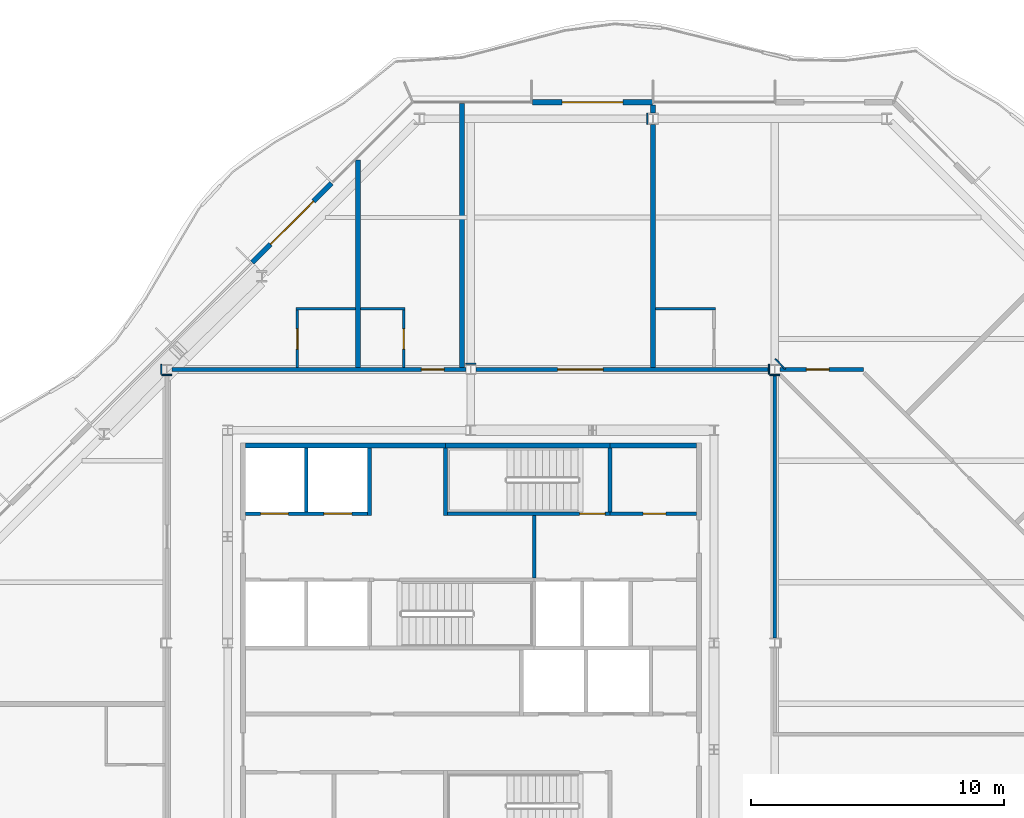
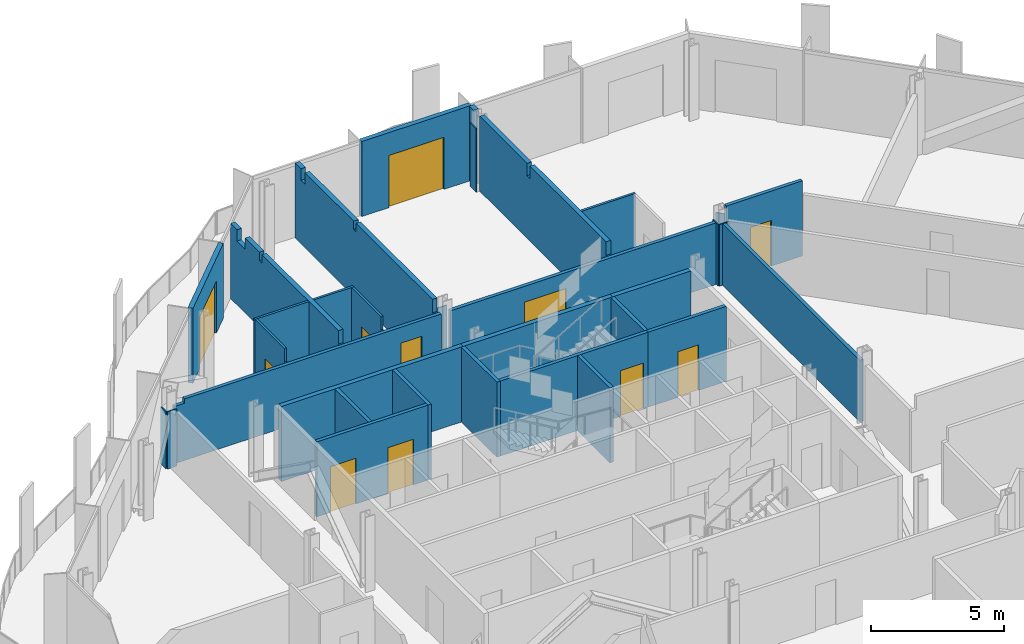
# One storey, part 11 of 17: 33 walls, 11 doors, 11 openings.
"""IFC4 building model written with IfcOpenShell, lengths in metres."""

from ifc_helpers import new_model, si_unit, direction, frame, frame_2d, origin, place, context, subcontext, project, spatial, polyline, rectangle, outline, extrude, material, layer, layer_set, type_object, element, fill, save


model = new_model("IFC4")

# Units and contexts
model_context = context("Model", 3, precision=1e-05, world=origin(), true_north=direction((0.0, 1.0)))
body_context = subcontext(model_context, "Body", "Model", "MODEL_VIEW")
ifc_project = project(units=[si_unit("LENGTHUNIT", "METRE"), si_unit("AREAUNIT", "SQUARE_METRE"), si_unit("VOLUMEUNIT", "CUBIC_METRE"), si_unit("PLANEANGLEUNIT", "RADIAN"), si_unit("MASSUNIT", "GRAM", prefix="KILO")], contexts=[model_context])

# Site, building, storey
site_placement = place(None, origin())
site = spatial("IfcSite", under=ifc_project, at=site_placement, CompositionType="ELEMENT")
building_placement = place(site_placement, origin())
building = spatial("IfcBuilding", under=site, at=building_placement, Name="Cairn Pilgrim Tower", CompositionType="ELEMENT")
storey_placement = place(building_placement, frame((0.0, 0.0, 232.199951171875)))
storey = spatial("IfcBuildingStorey", under=building, at=storey_placement, Name="L59", CompositionType="ELEMENT", Elevation=232.199951171875)

# Wall, opening, door
ifc_material_1 = material(Name="Bronze anodised aluminium insulated sandwich panel with mineral wool fill", Category="aluminium")
ifc_layer_1 = layer(ifc_material_1, 0.199951171875)
ifc_layer_set_1 = layer_set([ifc_layer_1], Name="BRONZE INFILL FRAME WALL 200")
wall_type_1 = type_object("IfcWallType", Name="BRONZE INFILL FRAME WALL 200", PredefinedType="NOTDEFINED", material=ifc_layer_set_1)
wall_1_placement = place(storey_placement, frame((14.3701171875, 23.75, 0.0), z_axis=(0.0, 0.0, 1.0), x_axis=(-1.0, 0.0, 0.0)))
wall_1 = element("IfcWall", 1, at=wall_1_placement, inside=storey, type_object=wall_type_1, Name="Bronze infill frame wall IW-N3", PredefinedType="NOTDEFINED", context=body_context, shape_type="SweptSolid", body=[
    extrude(rectangle(XDim=4.740234375, YDim=0.199951171875, at=frame_2d((2.3701171875, 0.0))), origin(), (0.0, 0.0, 1.0), 3.449951171875),
])
opening_1_placement = place(wall_1_placement, frame((1.169921875, 0.0, 0.0)))
opening_1 = element("IfcOpeningElement", 2, at=opening_1_placement, cuts=wall_1, Name="Opening 5909B", PredefinedType="OPENING", context=body_context, shape_type="SweptSolid", body=[
    extrude(rectangle(XDim=2.39990234375, YDim=2.39990234375, at=frame_2d((1.199951171875, 1.199951171875))), frame((0.0, 0.10986328125, 0.0), z_axis=(0.0, -1.0, 0.0), x_axis=(1.0, 0.0, 0.0)), (0.0, 0.0, 1.0), 0.219970703125),
])
ifc_material_2 = material(Name="Bronze anodised aluminium frame with tinted low-E glass", Category="aluminium")
door_type_1 = type_object("IfcDoorType", Name="BALCONY SLIDING DOOR 2400x2400", OperationType="DOUBLE_DOOR_SLIDING", PredefinedType="DOOR", material=ifc_material_2)
door_1_placement = place(opening_1_placement, origin())
door_1 = element("IfcDoor", 3, at=door_1_placement, inside=storey, type_object=door_type_1, Name="Balcony sliding door 5909B", OperationType="SINGLE_SWING_LEFT", OverallHeight=2.39990234375, OverallWidth=2.39990234375, PredefinedType="DOOR", context=body_context, shape_type="SweptSolid", body=[
    extrude(rectangle(XDim=2.39990234375, YDim=2.39990234375, at=frame_2d((1.199951171875, 1.199951171875))), frame((0.0, 0.02490234375, 0.0), z_axis=(0.0, -1.0, 0.0), x_axis=(1.0, 0.0, 0.0)), (0.0, 0.0, 1.0), 0.050048828125),
])
fill(opening_1, door_1)

wall_2_placement = place(storey_placement, frame((1.706787109375, 20.55322265625, 0.0), z_axis=(0.0, 0.0, 1.0), x_axis=(-0.707106781187, -0.707106781187, 0.0)))
wall_2 = element("IfcWall", 4, at=wall_2_placement, inside=storey, type_object=wall_type_1, Name="Bronze infill frame wall IW-NW2", PredefinedType="NOTDEFINED", context=body_context, shape_type="SweptSolid", body=[
    extrude(rectangle(XDim=4.43115234375, YDim=0.199951171875, at=frame_2d((2.215576171875, 0.0))), origin(), (0.0, 0.0, 1.0), 3.449951171875),
])
opening_2_placement = place(wall_2_placement, frame((1.015869140625, 0.0, 0.0)))
opening_2 = element("IfcOpeningElement", 5, at=opening_2_placement, cuts=wall_2, Name="Opening 5911B2", PredefinedType="OPENING", context=body_context, shape_type="SweptSolid", body=[
    extrude(rectangle(XDim=2.39990234375, YDim=2.39990234375, at=frame_2d((1.199951171875, 1.199951171875))), frame((0.0, 0.10986328125, 0.0), z_axis=(0.0, -1.0, 0.0), x_axis=(1.0, 0.0, 0.0)), (0.0, 0.0, 1.0), 0.219970703125),
])
door_2_placement = place(opening_2_placement, origin())
door_2 = element("IfcDoor", 6, at=door_2_placement, inside=storey, type_object=door_type_1, Name="Balcony sliding door 5911B2", OperationType="SINGLE_SWING_LEFT", OverallHeight=2.39990234375, OverallWidth=2.39990234375, PredefinedType="DOOR", context=body_context, shape_type="SweptSolid", body=[
    extrude(rectangle(XDim=2.39990234375, YDim=2.39990234375, at=frame_2d((1.199951171875, 1.199951171875))), frame((0.0, 0.02490234375, 0.0), z_axis=(0.0, -1.0, 0.0), x_axis=(1.0, 0.0, 0.0)), (0.0, 0.0, 1.0), 0.050048828125),
])
fill(opening_2, door_2)

# Walls
ifc_material_3 = material(Name="Concrete C32/40", Category="concrete")
ifc_layer_2 = layer(ifc_material_3, 0.199951171875)
ifc_layer_set_2 = layer_set([ifc_layer_2], Name="CORE OUTER WALL 200 EI 120")
wall_type_2 = type_object("IfcWallType", Name="CORE OUTER WALL 200 EI 120", PredefinedType="SOLIDWALL", material=ifc_layer_set_2)
wall_3_placement = place(storey_placement, frame((-1.699951171875, 10.199951171875, 0.0), z_axis=(0.0, 0.0, 1.0), x_axis=(1.0, 0.0, 0.0)))
element("IfcWall", 7, at=wall_3_placement, inside=storey, type_object=wall_type_2, Name="CW:L59:H12-1", PredefinedType="SOLIDWALL", context=body_context, shape_type="SweptSolid", body=[
    extrude(rectangle(XDim=7.89990234375, YDim=0.199951171875, at=frame_2d((3.949951171875, 0.0))), origin(), (0.0, 0.0, 1.0), 3.449951171875),
])
wall_4_placement = place(storey_placement, frame((12.699951171875, 10.199951171875, 0.0), z_axis=(0.0, 0.0, 1.0), x_axis=(1.0, 0.0, 0.0)))
element("IfcWall", 8, at=wall_4_placement, inside=storey, type_object=wall_type_2, Name="CW:L59:H12-3", PredefinedType="SOLIDWALL", context=body_context, shape_type="SweptSolid", body=[
    extrude(rectangle(XDim=3.400146484375, YDim=0.199951171875, at=frame_2d((1.7001953125, 0.0))), origin(), (0.0, 0.0, 1.0), 3.449951171875),
])

# Wall, openings, doors
ifc_layer_3 = layer(ifc_material_3, 0.14990234375)
ifc_layer_set_3 = layer_set([ifc_layer_3], Name="CORE SHAFT WALL 150 EI 120")
wall_type_3 = type_object("IfcWallType", Name="CORE SHAFT WALL 150 EI 120", PredefinedType="SOLIDWALL", material=ifc_layer_set_3)
wall_5_placement = place(storey_placement, frame((-1.699951171875, 7.5, 0.0), z_axis=(0.0, 0.0, 1.0), x_axis=(1.0, 0.0, 0.0)))
wall_5 = element("IfcWall", 9, at=wall_5_placement, inside=storey, type_object=wall_type_3, Name="CW:L59:H10", PredefinedType="SOLIDWALL", context=body_context, shape_type="SweptSolid", body=[
    extrude(rectangle(XDim=4.824951171875, YDim=0.14990234375, at=frame_2d((2.41259765625, 0.0))), origin(), (0.0, 0.0, 1.0), 3.449951171875),
])
opening_3_placement = place(wall_5_placement, frame((0.60009765625, 0.0, 0.0)))
opening_3 = element("IfcOpeningElement", 10, at=opening_3_placement, cuts=wall_5, Name="Opening LD-HR3", PredefinedType="OPENING", context=body_context, shape_type="SweptSolid", body=[
    extrude(rectangle(XDim=1.10009765625, YDim=2.10009765625, at=frame_2d((0.550048828125, 1.050048828125))), frame((0.0, 0.0849609375, 0.0), z_axis=(0.0, -1.0, 0.0), x_axis=(1.0, 0.0, 0.0)), (0.0, 0.0, 1.0), 0.169921875),
])
opening_4_placement = place(wall_5_placement, frame((3.10009765625, 0.0, 0.0)))
opening_4 = element("IfcOpeningElement", 11, at=opening_4_placement, cuts=wall_5, Name="Opening LD-HR4", PredefinedType="OPENING", context=body_context, shape_type="SweptSolid", body=[
    extrude(rectangle(XDim=1.10009765625, YDim=2.10009765625, at=frame_2d((0.550048828125, 1.050048828125))), frame((0.0, 0.0849609375, 0.0), z_axis=(0.0, -1.0, 0.0), x_axis=(1.0, 0.0, 0.0)), (0.0, 0.0, 1.0), 0.169921875),
])
ifc_material_4 = material(Name="Stainless steel", Category="steel")
door_type_2 = type_object("IfcDoorType", Name="LIFT LANDING DOOR 1100x2100", OperationType="DOUBLE_DOOR_SLIDING", PredefinedType="DOOR", material=ifc_material_4)
door_3_placement = place(opening_3_placement, origin())
door_3 = element("IfcDoor", 12, at=door_3_placement, inside=storey, type_object=door_type_2, Name="LANDING DOOR HR3", OperationType="DOUBLE_DOOR_SLIDING", OverallHeight=2.10009765625, OverallWidth=1.10009765625, PredefinedType="DOOR", context=body_context, shape_type="SweptSolid", body=[
    extrude(rectangle(XDim=1.10009765625, YDim=2.10009765625, at=frame_2d((0.550048828125, 1.050048828125))), frame((0.0, 0.02490234375, 0.0), z_axis=(0.0, -1.0, 0.0), x_axis=(1.0, 0.0, 0.0)), (0.0, 0.0, 1.0), 0.050048828125),
])
fill(opening_3, door_3)
door_4_placement = place(opening_4_placement, origin())
door_4 = element("IfcDoor", 13, at=door_4_placement, inside=storey, type_object=door_type_2, Name="LANDING DOOR HR4", OperationType="DOUBLE_DOOR_SLIDING", OverallHeight=2.10009765625, OverallWidth=1.10009765625, PredefinedType="DOOR", context=body_context, shape_type="SweptSolid", body=[
    extrude(rectangle(XDim=1.10009765625, YDim=2.10009765625, at=frame_2d((0.550048828125, 1.050048828125))), frame((0.0, 0.02490234375, 0.0), z_axis=(0.0, -1.0, 0.0), x_axis=(1.0, 0.0, 0.0)), (0.0, 0.0, 1.0), 0.050048828125),
])
fill(opening_4, door_4)

# Wall, opening, door
wall_6_placement = place(storey_placement, frame((12.699951171875, 7.5, 0.0), z_axis=(0.0, 0.0, 1.0), x_axis=(1.0, 0.0, 0.0)))
wall_6 = element("IfcWall", 14, at=wall_6_placement, inside=storey, type_object=wall_type_3, Name="CW:L59:H11-2", PredefinedType="SOLIDWALL", context=body_context, shape_type="SweptSolid", body=[
    extrude(rectangle(XDim=3.400146484375, YDim=0.14990234375, at=frame_2d((1.7001953125, 0.0))), origin(), (0.0, 0.0, 1.0), 3.449951171875),
])
opening_5_placement = place(wall_6_placement, frame((1.300048828125, 0.0, 0.0)))
opening_5 = element("IfcOpeningElement", 15, at=opening_5_placement, cuts=wall_6, Name="Opening RD-R4E", PredefinedType="OPENING", context=body_context, shape_type="SweptSolid", body=[
    extrude(rectangle(XDim=0.89990234375, YDim=2.10009765625, at=frame_2d((0.449951171875, 1.050048828125))), frame((0.0, 0.0849609375, 0.0), z_axis=(0.0, -1.0, 0.0), x_axis=(1.0, 0.0, 0.0)), (0.0, 0.0, 1.0), 0.169921875),
])
ifc_material_5 = material(Name="Painted steel", Category="steel")
door_type_3 = type_object("IfcDoorType", Name="SERVICE ROOM DOOR 900x2100", OperationType="SINGLE_SWING_LEFT", PredefinedType="DOOR", material=ifc_material_5)
door_5_placement = place(opening_5_placement, origin())
door_5 = element("IfcDoor", 16, at=door_5_placement, inside=storey, type_object=door_type_3, Name="RD-R4E", OperationType="SINGLE_SWING_LEFT", OverallHeight=2.10009765625, OverallWidth=0.89990234375, PredefinedType="DOOR", context=body_context, shape_type="SweptSolid", body=[
    extrude(rectangle(XDim=0.89990234375, YDim=2.10009765625, at=frame_2d((0.449951171875, 1.050048828125))), frame((0.0, 0.02490234375, 0.0), z_axis=(0.0, -1.0, 0.0), x_axis=(1.0, 0.0, 0.0)), (0.0, 0.0, 1.0), 0.050048828125),
])
fill(opening_5, door_5)

# Walls
wall_7_placement = place(storey_placement, frame((0.699951171875, 7.574951171875, 0.0), z_axis=(0.0, 0.0, 1.0), x_axis=(0.0, 1.0, 0.0)))
element("IfcWall", 17, at=wall_7_placement, inside=storey, type_object=wall_type_3, Name="CW:L59:V15", PredefinedType="SOLIDWALL", context=body_context, shape_type="SweptSolid", body=[
    extrude(rectangle(XDim=2.525146484375, YDim=0.14990234375, at=frame_2d((1.2626953125, 0.0))), origin(), (0.0, 0.0, 1.0), 3.449951171875),
])
wall_8_placement = place(storey_placement, frame((3.199951171875, 7.425048828125, 0.0), z_axis=(0.0, 0.0, 1.0), x_axis=(0.0, 1.0, 0.0)))
element("IfcWall", 18, at=wall_8_placement, inside=storey, type_object=wall_type_3, Name="CW:L59:V18", PredefinedType="SOLIDWALL", context=body_context, shape_type="SweptSolid", body=[
    extrude(rectangle(XDim=2.675048828125, YDim=0.14990234375, at=frame_2d((1.33740234375, 0.0))), origin(), (0.0, 0.0, 1.0), 3.449951171875),
])
wall_9_placement = place(storey_placement, frame((9.699951171875, 4.97509765625, 0.0), z_axis=(0.0, 0.0, 1.0), x_axis=(0.0, 1.0, 0.0)))
element("IfcWall", 19, at=wall_9_placement, inside=storey, type_object=wall_type_3, Name="CW:L59:V23", PredefinedType="SOLIDWALL", context=body_context, shape_type="SweptSolid", body=[
    extrude(rectangle(XDim=2.449951171875, YDim=0.14990234375, at=frame_2d((1.22509765625, 0.0))), origin(), (0.0, 0.0, 1.0), 3.449951171875),
])

# Wall, opening, door
ifc_material_6 = material(Name="Gypsum partition")
ifc_layer_4 = layer(ifc_material_6, 0.10009765625)
ifc_layer_set_4 = layer_set([ifc_layer_4], Name="PARTITION 100 DRYWALL")
wall_type_4 = type_object("IfcWallType", Name="PARTITION 100 DRYWALL", PredefinedType="PARTITIONING", material=ifc_layer_set_4)
wall_10_placement = place(storey_placement, frame((0.35205078125, 13.27490234375, 0.0), z_axis=(0.0, 0.0, 1.0), x_axis=(0.0, 1.0, 0.0)))
wall_10 = element("IfcWall", 20, at=wall_10_placement, inside=storey, type_object=wall_type_4, Name="PARTITION W070", PredefinedType="PARTITIONING", context=body_context, shape_type="SweptSolid", body=[
    extrude(outline(polyline([(0.0, 0.0), (2.275146484375, 0.0), (2.27490234375, 3.449951171875), (0.074951171875, 3.449951171875), (0.072998046875, 2.830078125), (0.0, 2.830078125), (0.0, 0.0)])), frame((0.0, 0.050048828125, 0.0), z_axis=(0.0, -1.0, 0.0), x_axis=(1.0, 0.0, 0.0)), (0.0, 0.0, 1.0), 0.10009765625),
])
opening_6_placement = place(wall_10_placement, frame((0.72509765625, 0.0, 0.0)))
opening_6 = element("IfcOpeningElement", 21, at=opening_6_placement, cuts=wall_10, Name="Opening 5911A", PredefinedType="OPENING", context=body_context, shape_type="SweptSolid", body=[
    extrude(rectangle(XDim=0.800048828125, YDim=2.10009765625, at=frame_2d((0.39990234375, 1.050048828125))), frame((0.0, 0.06005859375, 0.0), z_axis=(0.0, -1.0, 0.0), x_axis=(1.0, 0.0, 0.0)), (0.0, 0.0, 1.0), 0.1201171875),
])
ifc_material_7 = material(Name="Timber door leaf", Category="wood")
door_type_4 = type_object("IfcDoorType", Name="WC DOOR 800x2100", OperationType="NOTDEFINED", PredefinedType="DOOR", material=ifc_material_7)
door_6_placement = place(opening_6_placement, origin())
door_6 = element("IfcDoor", 22, at=door_6_placement, inside=storey, type_object=door_type_4, Name="DOOR 5911A", OperationType="SINGLE_SWING_RIGHT", OverallHeight=2.10009765625, OverallWidth=0.800048828125, PredefinedType="DOOR", context=body_context, shape_type="SweptSolid", body=[
    extrude(rectangle(XDim=0.800048828125, YDim=2.10009765625, at=frame_2d((0.39990234375, 1.050048828125))), frame((0.0, 0.02490234375, 0.0), z_axis=(0.0, -1.0, 0.0), x_axis=(1.0, 0.0, 0.0)), (0.0, 0.0, 1.0), 0.050048828125),
])
fill(opening_6, door_6)

wall_11_placement = place(storey_placement, frame((4.552001953125, 13.27490234375, 0.0), z_axis=(0.0, 0.0, 1.0), x_axis=(0.0, 1.0, 0.0)))
wall_11 = element("IfcWall", 23, at=wall_11_placement, inside=storey, type_object=wall_type_4, Name="PARTITION W072", PredefinedType="PARTITIONING", context=body_context, shape_type="SweptSolid", body=[
    extrude(outline(polyline([(0.0, 0.0), (2.275146484375, 0.0), (2.27490234375, 3.449951171875), (0.074951171875, 3.449951171875), (0.072998046875, 2.830078125), (0.0, 2.830078125), (0.0, 0.0)])), frame((0.0, 0.050048828125, 0.0), z_axis=(0.0, -1.0, 0.0), x_axis=(1.0, 0.0, 0.0)), (0.0, 0.0, 1.0), 0.10009765625),
])
opening_7_placement = place(wall_11_placement, frame((0.72509765625, 0.0, 0.0)))
opening_7 = element("IfcOpeningElement", 24, at=opening_7_placement, cuts=wall_11, Name="Opening 5910A", PredefinedType="OPENING", context=body_context, shape_type="SweptSolid", body=[
    extrude(rectangle(XDim=0.800048828125, YDim=2.10009765625, at=frame_2d((0.39990234375, 1.050048828125))), frame((0.0, 0.06005859375, 0.0), z_axis=(0.0, -1.0, 0.0), x_axis=(1.0, 0.0, 0.0)), (0.0, 0.0, 1.0), 0.1201171875),
])
door_7_placement = place(opening_7_placement, frame((0.800048828125, 0.0, 0.0), z_axis=(0.0, 0.0, 1.0), x_axis=(-1.0, 0.0, 0.0)))
door_7 = element("IfcDoor", 25, at=door_7_placement, inside=storey, type_object=door_type_4, Name="DOOR 5910A", OperationType="SINGLE_SWING_RIGHT", OverallHeight=2.10009765625, OverallWidth=0.800048828125, PredefinedType="DOOR", context=body_context, shape_type="SweptSolid", body=[
    extrude(rectangle(XDim=0.800048828125, YDim=2.10009765625, at=frame_2d((0.39990234375, 1.050048828125))), frame((0.0, 0.02490234375, 0.0), z_axis=(0.0, -1.0, 0.0), x_axis=(1.0, 0.0, 0.0)), (0.0, 0.0, 1.0), 0.050048828125),
])
fill(opening_7, door_7)

# Walls
wall_12_placement = place(storey_placement, frame((0.302001953125, 15.60009765625, 0.0), z_axis=(0.0, 0.0, 1.0), x_axis=(1.0, 0.0, 0.0)))
element("IfcWall", 26, at=wall_12_placement, inside=storey, type_object=wall_type_4, Name="PARTITION W076", PredefinedType="PARTITIONING", context=body_context, shape_type="SweptSolid", body=[
    extrude(rectangle(XDim=2.35009765625, YDim=0.10009765625, at=frame_2d((1.175048828125, 0.0))), origin(), (0.0, 0.0, 1.0), 3.449951171875),
])
wall_13_placement = place(storey_placement, frame((2.85205078125, 15.60009765625, 0.0), z_axis=(0.0, 0.0, 1.0), x_axis=(1.0, 0.0, 0.0)))
element("IfcWall", 27, at=wall_13_placement, inside=storey, type_object=wall_type_4, Name="PARTITION W077", PredefinedType="PARTITIONING", context=body_context, shape_type="SweptSolid", body=[
    extrude(rectangle(XDim=1.75, YDim=0.10009765625, at=frame_2d((0.875, 0.0))), origin(), (0.0, 0.0, 1.0), 3.449951171875),
])
wall_14_placement = place(storey_placement, frame((14.5, 15.60009765625, 0.0), z_axis=(0.0, 0.0, 1.0), x_axis=(1.0, 0.0, 0.0)))
element("IfcWall", 28, at=wall_14_placement, inside=storey, type_object=wall_type_4, Name="PARTITION W078", PredefinedType="PARTITIONING", context=body_context, shape_type="SweptSolid", body=[
    extrude(rectangle(XDim=2.35009765625, YDim=0.10009765625, at=frame_2d((1.175048828125, 0.0))), origin(), (0.0, 0.0, 1.0), 3.449951171875),
])
ifc_layer_5 = layer(ifc_material_6, 0.14990234375)
ifc_layer_set_5 = layer_set([ifc_layer_5], Name="PARTITION 150 DRYWALL EI 60")
wall_type_5 = type_object("IfcWallType", Name="PARTITION 150 DRYWALL EI 60", PredefinedType="PARTITIONING", material=ifc_layer_set_5)
wall_15_placement = place(storey_placement, frame((19.199951171875, 2.596435546875, 0.0), z_axis=(0.0, 0.0, 1.0), x_axis=(0.0, 1.0, 0.0)))
element("IfcWall", 29, at=wall_15_placement, inside=storey, type_object=wall_type_5, Name="PARTITION W059", PredefinedType="PARTITIONING", context=body_context, shape_type="SweptSolid", body=[
    extrude(rectangle(XDim=10.406982421875, YDim=0.14990234375, at=frame_2d((5.20361328125, 0.0))), origin(), (0.0, 0.0, 1.0), 2.830078125),
])

# Wall, opening, door
wall_16_placement = place(storey_placement, frame((-4.6005859375, 13.199951171875, 0.0), z_axis=(0.0, 0.0, 1.0), x_axis=(1.0, 0.0, 0.0)))
wall_16 = element("IfcWall", 30, at=wall_16_placement, inside=storey, type_object=wall_type_5, Name="PARTITION W067", PredefinedType="PARTITIONING", context=body_context, shape_type="SweptSolid", body=[
    extrude(outline(polyline([(0.0, 0.0), (11.60107421875, 0.0), (11.60107421875, 2.830078125), (0.443359375, 2.830078125), (0.44140625, 2.630126953125), (0.0, 2.630126953125), (0.0, 0.0)])), frame((0.0, 0.074951171875, 0.0), z_axis=(0.0, -1.0, 0.0), x_axis=(1.0, 0.0, 0.0)), (0.0, 0.0, 1.0), 0.14990234375),
])
opening_8_placement = place(wall_16_placement, frame((9.8505859375, 0.0, 0.0)))
opening_8 = element("IfcOpeningElement", 31, at=opening_8_placement, cuts=wall_16, Name="Opening 5910", PredefinedType="OPENING", context=body_context, shape_type="SweptSolid", body=[
    extrude(rectangle(XDim=0.89990234375, YDim=2.10009765625, at=frame_2d((0.449951171875, 1.050048828125))), frame((0.0, 0.0849609375, 0.0), z_axis=(0.0, -1.0, 0.0), x_axis=(1.0, 0.0, 0.0)), (0.0, 0.0, 1.0), 0.169921875),
])
door_type_5 = type_object("IfcDoorType", Name="ROOM DOOR 900x2100 FD30S", OperationType="NOTDEFINED", PredefinedType="DOOR", material=ifc_material_7)
door_8_placement = place(opening_8_placement, origin())
door_8 = element("IfcDoor", 32, at=door_8_placement, inside=storey, type_object=door_type_5, Name="DOOR 5910", OperationType="SINGLE_SWING_RIGHT", OverallHeight=2.10009765625, OverallWidth=0.89990234375, PredefinedType="DOOR", context=body_context, shape_type="SweptSolid", body=[
    extrude(rectangle(XDim=0.89990234375, YDim=2.10009765625, at=frame_2d((0.449951171875, 1.050048828125))), frame((0.0, 0.02490234375, 0.0), z_axis=(0.0, -1.0, 0.0), x_axis=(1.0, 0.0, 0.0)), (0.0, 0.0, 1.0), 0.050048828125),
])
fill(opening_8, door_8)

wall_17_placement = place(storey_placement, frame((7.3994140625, 13.199951171875, 0.0), z_axis=(0.0, 0.0, 1.0), x_axis=(1.0, 0.0, 0.0)))
wall_17 = element("IfcWall", 33, at=wall_17_placement, inside=storey, type_object=wall_type_5, Name="PARTITION W068", PredefinedType="PARTITIONING", context=body_context, shape_type="SweptSolid", body=[
    extrude(rectangle(XDim=11.60107421875, YDim=0.14990234375, at=frame_2d((5.800537109375, 0.0))), origin(), (0.0, 0.0, 1.0), 2.830078125),
])
opening_9_placement = place(wall_17_placement, frame((3.224609375, 0.0, 0.0)))
opening_9 = element("IfcOpeningElement", 34, at=opening_9_placement, cuts=wall_17, Name="Opening 5909", PredefinedType="OPENING", context=body_context, shape_type="SweptSolid", body=[
    extrude(rectangle(XDim=1.800048828125, YDim=2.10009765625, at=frame_2d((0.89990234375, 1.050048828125))), frame((0.0, 0.0849609375, 0.0), z_axis=(0.0, -1.0, 0.0), x_axis=(1.0, 0.0, 0.0)), (0.0, 0.0, 1.0), 0.169921875),
])
door_type_6 = type_object("IfcDoorType", Name="DOOR PAIR 1800x2100 FD60S", OperationType="NOTDEFINED", PredefinedType="DOOR", material=ifc_material_7)
door_9_placement = place(opening_9_placement, origin())
door_9 = element("IfcDoor", 35, at=door_9_placement, inside=storey, type_object=door_type_6, Name="DOOR 5909", OperationType="DOUBLE_DOOR_SINGLE_SWING", OverallHeight=2.10009765625, OverallWidth=1.800048828125, PredefinedType="DOOR", context=body_context, shape_type="SweptSolid", body=[
    extrude(rectangle(XDim=1.800048828125, YDim=2.10009765625, at=frame_2d((0.89990234375, 1.050048828125))), frame((0.0, 0.02490234375, 0.0), z_axis=(0.0, -1.0, 0.0), x_axis=(1.0, 0.0, 0.0)), (0.0, 0.0, 1.0), 0.050048828125),
])
fill(opening_9, door_9)

wall_18_placement = place(storey_placement, frame((19.3994140625, 13.199951171875, 0.0), z_axis=(0.0, 0.0, 1.0), x_axis=(1.0, 0.0, 0.0)))
wall_18 = element("IfcWall", 36, at=wall_18_placement, inside=storey, type_object=wall_type_5, Name="PARTITION W069", PredefinedType="PARTITIONING", context=body_context, shape_type="SweptSolid", body=[
    extrude(rectangle(XDim=3.30078125, YDim=0.14990234375, at=frame_2d((1.650390625, 0.0))), origin(), (0.0, 0.0, 1.0), 3.449951171875),
])
opening_10_placement = place(wall_18_placement, frame((1.047607421875, 0.0, 0.0)))
opening_10 = element("IfcOpeningElement", 37, at=opening_10_placement, cuts=wall_18, Name="Opening 5908", PredefinedType="OPENING", context=body_context, shape_type="SweptSolid", body=[
    extrude(rectangle(XDim=0.89990234375, YDim=2.10009765625, at=frame_2d((0.449951171875, 1.050048828125))), frame((0.0, 0.0849609375, 0.0), z_axis=(0.0, -1.0, 0.0), x_axis=(1.0, 0.0, 0.0)), (0.0, 0.0, 1.0), 0.169921875),
])
door_10_placement = place(opening_10_placement, origin())
door_10 = element("IfcDoor", 38, at=door_10_placement, inside=storey, type_object=door_type_5, Name="DOOR 5908", OperationType="SINGLE_SWING_LEFT", OverallHeight=2.10009765625, OverallWidth=0.89990234375, PredefinedType="DOOR", context=body_context, shape_type="SweptSolid", body=[
    extrude(rectangle(XDim=0.89990234375, YDim=2.10009765625, at=frame_2d((0.449951171875, 1.050048828125))), frame((0.0, 0.02490234375, 0.0), z_axis=(0.0, -1.0, 0.0), x_axis=(1.0, 0.0, 0.0)), (0.0, 0.0, 1.0), 0.050048828125),
])
fill(opening_10, door_10)

# Walls
ifc_layer_6 = layer(ifc_material_6, 0.050048828125)
ifc_layer_set_6 = layer_set([ifc_layer_6], Name="PARTITION 50 DRYWALL EI 60")
wall_type_6 = type_object("IfcWallType", Name="PARTITION 50 DRYWALL EI 60", PredefinedType="PARTITIONING", material=ifc_layer_set_6)
wall_19_placement = place(storey_placement, frame((-5.0244140625, 13.00341796875, 0.0), z_axis=(0.0, 0.0, 1.0), x_axis=(0.0, 1.0, 0.0)))
element("IfcWall", 39, at=wall_19_placement, inside=storey, type_object=wall_type_6, Name="COLUMN CASING WC05", PredefinedType="PARTITIONING", context=body_context, shape_type="SweptSolid", body=[
    extrude(rectangle(XDim=0.39306640625, YDim=0.050048828125, at=frame_2d((0.196533203125, 0.0))), origin(), (0.0, 0.0, 1.0), 2.630126953125),
])
wall_20_placement = place(storey_placement, frame((18.9755859375, 13.00341796875, 0.0), z_axis=(0.0, 0.0, 1.0), x_axis=(0.0, 1.0, 0.0)))
element("IfcWall", 40, at=wall_20_placement, inside=storey, type_object=wall_type_6, Name="COLUMN CASING WC13", PredefinedType="PARTITIONING", context=body_context, shape_type="SweptSolid", body=[
    extrude(rectangle(XDim=0.39306640625, YDim=0.050048828125, at=frame_2d((0.196533203125, 0.0))), origin(), (0.0, 0.0, 1.0), 2.830078125),
])
wall_21_placement = place(storey_placement, frame((19.61376953125, 13.2177734375, 0.0), z_axis=(0.0, 0.0, 1.0), x_axis=(-0.707106781187, 0.707106781187, 0.0)))
element("IfcWall", 41, at=wall_21_placement, inside=storey, type_object=wall_type_6, Name="COLUMN CASING WC15", PredefinedType="PARTITIONING", context=body_context, shape_type="SweptSolid", body=[
    extrude(rectangle(XDim=0.56005859375, YDim=0.050048828125, at=frame_2d((0.280029296875, 0.0))), origin(), (0.0, 0.0, 1.0), 2.929931640625),
])
wall_22_placement = place(storey_placement, frame((-4.99951171875, 12.978515625, 0.0), z_axis=(0.0, 0.0, 1.0), x_axis=(1.0, 0.0, 0.0)))
element("IfcWall", 42, at=wall_22_placement, inside=storey, type_object=wall_type_6, Name="COLUMN CASING WC19", PredefinedType="PARTITIONING", context=body_context, shape_type="SweptSolid", body=[
    extrude(rectangle(XDim=0.39892578125, YDim=0.050048828125, at=frame_2d((0.199462890625, 0.0))), origin(), (0.0, 0.0, 1.0), 2.630126953125),
])
wall_23_placement = place(storey_placement, frame((7.00048828125, 13.42138671875, 0.0), z_axis=(0.0, 0.0, 1.0), x_axis=(1.0, 0.0, 0.0)))
element("IfcWall", 43, at=wall_23_placement, inside=storey, type_object=wall_type_6, Name="COLUMN CASING WC20", PredefinedType="PARTITIONING", context=body_context, shape_type="SweptSolid", body=[
    extrude(rectangle(XDim=0.39892578125, YDim=0.050048828125, at=frame_2d((0.199462890625, 0.0))), origin(), (0.0, 0.0, 1.0), 2.929931640625),
])
wall_24_placement = place(storey_placement, frame((19.00048828125, 12.978515625, 0.0), z_axis=(0.0, 0.0, 1.0), x_axis=(1.0, 0.0, 0.0)))
element("IfcWall", 44, at=wall_24_placement, inside=storey, type_object=wall_type_6, Name="COLUMN CASING WC21", PredefinedType="PARTITIONING", context=body_context, shape_type="SweptSolid", body=[
    extrude(rectangle(XDim=0.39892578125, YDim=0.050048828125, at=frame_2d((0.199462890625, 0.0))), origin(), (0.0, 0.0, 1.0), 2.830078125),
])
wall_25_placement = place(storey_placement, frame((14.1669921875, 22.876953125, 0.0), z_axis=(0.0, 0.0, 1.0), x_axis=(0.0, 1.0, 0.0)))
element("IfcWall", 45, at=wall_25_placement, inside=storey, type_object=wall_type_6, Name="COLUMN CASING WC22", PredefinedType="PARTITIONING", context=body_context, shape_type="SweptSolid", body=[
    extrude(rectangle(XDim=0.446044921875, YDim=0.050048828125, at=frame_2d((0.22314453125, 0.0))), origin(), (0.0, 0.0, 1.0), 2.929931640625),
])
ifc_layer_7 = layer(ifc_material_6, 0.199951171875)
ifc_layer_set_7 = layer_set([ifc_layer_7], Name="SHAFT WALL 200 GYPSUM EI 60")
wall_type_7 = type_object("IfcWallType", Name="SHAFT WALL 200 GYPSUM EI 60", PredefinedType="PARTITIONING", material=ifc_layer_set_7)
wall_26_placement = place(storey_placement, frame((2.751953125, 13.27490234375, 0.0), z_axis=(0.0, 0.0, 1.0), x_axis=(0.0, 1.0, 0.0)))
element("IfcWall", 46, at=wall_26_placement, inside=storey, type_object=wall_type_7, Name="PARTITION W071", PredefinedType="PARTITIONING", context=body_context, shape_type="SweptSolid", body=[
    extrude(outline(polyline([(0.0, 0.0), (8.199462890625, 0.0), (8.199462890625, 3.449951171875), (7.71630859375, 3.449951171875), (7.71435546875, 2.929931640625), (7.092041015625, 2.929931640625), (7.090087890625, 3.449951171875), (6.010009765625, 3.449951171875), (6.008056640625, 3.070068359375), (5.840087890625, 3.070068359375), (5.837890625, 3.449951171875), (0.074951171875, 3.449951171875), (0.072998046875, 2.830078125), (0.0, 2.830078125), (0.0, 0.0)])), frame((0.0, 0.10009765625, 0.0), z_axis=(0.0, -1.0, 0.0), x_axis=(1.0, 0.0, 0.0)), (0.0, 0.0, 1.0), 0.199951171875),
])
wall_27_placement = place(storey_placement, frame((6.847900390625, 13.27490234375, 0.0), z_axis=(0.0, 0.0, 1.0), x_axis=(0.0, 1.0, 0.0)))
element("IfcWall", 47, at=wall_27_placement, inside=storey, type_object=wall_type_7, Name="PARTITION W073", PredefinedType="PARTITIONING", context=body_context, shape_type="SweptSolid", body=[
    extrude(outline(polyline([(0.0, 0.0), (10.427978515625, 0.0), (10.427978515625, 3.449951171875), (9.97509765625, 3.449951171875), (9.972900390625, 2.929931640625), (9.675048828125, 2.929931640625), (9.673095703125, 3.449951171875), (6.010009765625, 3.449951171875), (6.008056640625, 3.070068359375), (5.840087890625, 3.070068359375), (5.837890625, 3.449951171875), (0.074951171875, 3.449951171875), (0.072998046875, 2.830078125), (0.0, 2.830078125), (0.0, 0.0)])), frame((0.0, 0.10009765625, 0.0), z_axis=(0.0, -1.0, 0.0), x_axis=(1.0, 0.0, 0.0)), (0.0, 0.0, 1.0), 0.199951171875),
])
wall_28_placement = place(storey_placement, frame((14.39990234375, 13.27490234375, 0.0), z_axis=(0.0, 0.0, 1.0), x_axis=(0.0, 1.0, 0.0)))
element("IfcWall", 48, at=wall_28_placement, inside=storey, type_object=wall_type_7, Name="PARTITION W074", PredefinedType="PARTITIONING", context=body_context, shape_type="SweptSolid", body=[
    extrude(outline(polyline([(0.0, 0.0), (9.60205078125, 0.0), (9.60205078125, 3.449951171875), (6.030029296875, 3.449951171875), (6.028076171875, 2.880126953125), (5.820068359375, 2.880126953125), (5.818115234375, 3.449951171875), (0.074951171875, 3.449951171875), (0.072998046875, 2.830078125), (0.0, 2.830078125), (0.0, 0.0)])), frame((0.0, 0.10009765625, 0.0), z_axis=(0.0, -1.0, 0.0), x_axis=(1.0, 0.0, 0.0)), (0.0, 0.0, 1.0), 0.199951171875),
])
wall_29_placement = place(storey_placement, frame((14.39990234375, 23.322998046875, 0.0), z_axis=(0.0, 0.0, 1.0), x_axis=(0.0, 1.0, 0.0)))
element("IfcWall", 49, at=wall_29_placement, inside=storey, type_object=wall_type_7, Name="PARTITION W080", PredefinedType="PARTITIONING", context=body_context, shape_type="SweptSolid", body=[
    extrude(rectangle(XDim=0.326904296875, YDim=0.199951171875, at=frame_2d((0.16357421875, 0.0))), origin(), (0.0, 0.0, 1.0), 3.449951171875),
])

# Wall, opening, door
ifc_material_8 = material(Name="Concrete C35/45", Category="concrete")
ifc_layer_8 = layer(ifc_material_8, 0.14990234375)
ifc_layer_set_8 = layer_set([ifc_layer_8], Name="STAIR SHAFT WALL 150 EI 120")
wall_type_8 = type_object("IfcWallType", Name="STAIR SHAFT WALL 150 EI 120", PredefinedType="SOLIDWALL", material=ifc_layer_set_8)
wall_30_placement = place(storey_placement, frame((6.27490234375, 7.5, 0.0), z_axis=(0.0, 0.0, 1.0), x_axis=(1.0, 0.0, 0.0)))
wall_30 = element("IfcWall", 50, at=wall_30_placement, inside=storey, type_object=wall_type_8, Name="CW:L59:H11-1", PredefinedType="SOLIDWALL", context=body_context, shape_type="SweptSolid", body=[
    extrude(rectangle(XDim=6.425048828125, YDim=0.14990234375, at=frame_2d((3.21240234375, 0.0))), origin(), (0.0, 0.0, 1.0), 3.449951171875),
])
opening_11_placement = place(wall_30_placement, frame((5.22509765625, 0.0, 0.0)))
opening_11 = element("IfcOpeningElement", 51, at=opening_11_placement, cuts=wall_30, Name="Opening SD-C", PredefinedType="OPENING", context=body_context, shape_type="SweptSolid", body=[
    extrude(rectangle(XDim=1.0, YDim=2.10009765625, at=frame_2d((0.5, 1.050048828125))), frame((0.0, 0.0849609375, 0.0), z_axis=(0.0, -1.0, 0.0), x_axis=(1.0, 0.0, 0.0)), (0.0, 0.0, 1.0), 0.169921875),
])
door_type_7 = type_object("IfcDoorType", Name="STAIR DOOR FD60S 1000x2100", OperationType="SINGLE_SWING_LEFT", PredefinedType="DOOR", material=ifc_material_5)
door_11_placement = place(opening_11_placement, origin())
door_11 = element("IfcDoor", 52, at=door_11_placement, inside=storey, type_object=door_type_7, Name="SD-C", OperationType="SINGLE_SWING_RIGHT", OverallHeight=2.10009765625, OverallWidth=1.0, PredefinedType="DOOR", context=body_context, shape_type="SweptSolid", body=[
    extrude(rectangle(XDim=1.0, YDim=2.10009765625, at=frame_2d((0.5, 1.050048828125))), frame((0.0, 0.02490234375, 0.0), z_axis=(0.0, -1.0, 0.0), x_axis=(1.0, 0.0, 0.0)), (0.0, 0.0, 1.0), 0.050048828125),
])
fill(opening_11, door_11)

# Walls
wall_31_placement = place(storey_placement, frame((6.199951171875, 7.425048828125, 0.0), z_axis=(0.0, 0.0, 1.0), x_axis=(0.0, 1.0, 0.0)))
element("IfcWall", 53, at=wall_31_placement, inside=storey, type_object=wall_type_8, Name="CW:L59:V20", PredefinedType="SOLIDWALL", context=body_context, shape_type="SweptSolid", body=[
    extrude(rectangle(XDim=2.675048828125, YDim=0.14990234375, at=frame_2d((1.33740234375, 0.0))), origin(), (0.0, 0.0, 1.0), 3.449951171875),
])
wall_32_placement = place(storey_placement, frame((12.699951171875, 7.574951171875, 0.0), z_axis=(0.0, 0.0, 1.0), x_axis=(0.0, 1.0, 0.0)))
element("IfcWall", 54, at=wall_32_placement, inside=storey, type_object=wall_type_8, Name="CW:L59:V27", PredefinedType="SOLIDWALL", context=body_context, shape_type="SweptSolid", body=[
    extrude(rectangle(XDim=2.525146484375, YDim=0.14990234375, at=frame_2d((1.2626953125, 0.0))), origin(), (0.0, 0.0, 1.0), 3.449951171875),
])
ifc_layer_9 = layer(ifc_material_8, 0.199951171875)
ifc_layer_set_9 = layer_set([ifc_layer_9], Name="STAIR SHAFT WALL 200 EI 120")
wall_type_9 = type_object("IfcWallType", Name="STAIR SHAFT WALL 200 EI 120", PredefinedType="SOLIDWALL", material=ifc_layer_set_9)
wall_33_placement = place(storey_placement, frame((6.199951171875, 10.199951171875, 0.0), z_axis=(0.0, 0.0, 1.0), x_axis=(1.0, 0.0, 0.0)))
element("IfcWall", 55, at=wall_33_placement, inside=storey, type_object=wall_type_9, Name="CW:L59:H12-2", PredefinedType="SOLIDWALL", context=body_context, shape_type="SweptSolid", body=[
    extrude(rectangle(XDim=6.5, YDim=0.199951171875, at=frame_2d((3.25, 0.0))), origin(), (0.0, 0.0, 1.0), 3.449951171875),
])

save(model, "model.ifc")
